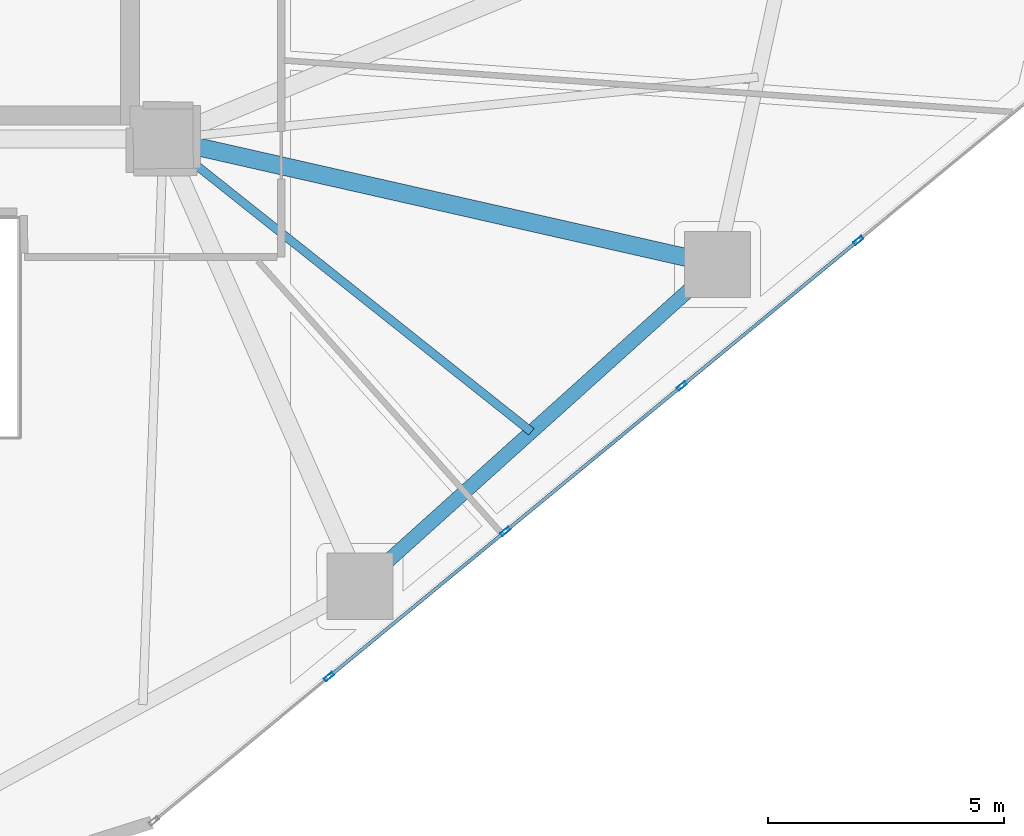
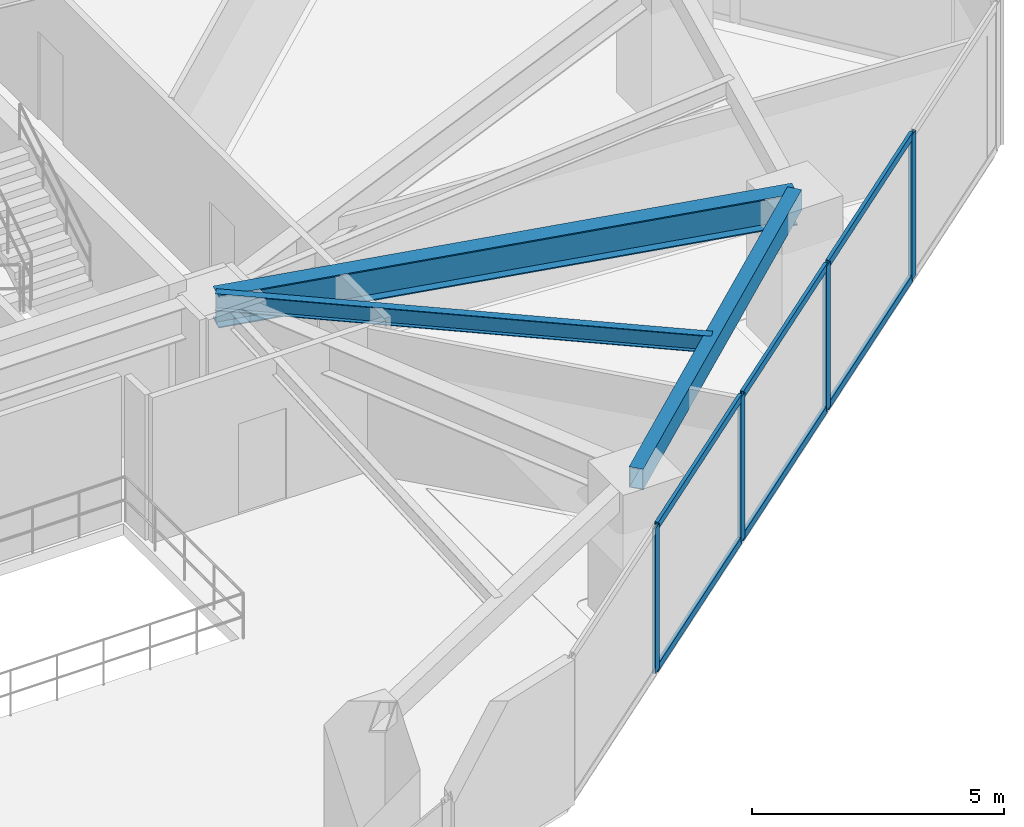
# One storey, part 10 of 23: 10 members, 3 beams, 1 element without a shape of its own.
"""IFC4 building model written with IfcOpenShell, lengths in metres."""

from ifc_helpers import new_model, si_unit, direction, frame, origin, origin_2d, place, context, subcontext, project, spatial, hollow_rectangle, i_section, extrude, source, transform, mapped, material, layer, layer_set, material_profile, profile_set, type_object, type_shapes, element, aggregate, save


model = new_model("IFC4")

# Units and contexts
model_context = context("Model", 3, precision=1e-05, world=origin(), true_north=direction((0.0, 1.0)))
body_context = subcontext(model_context, "Body", "Model", "MODEL_VIEW")
ifc_project = project(units=[si_unit("LENGTHUNIT", "METRE"), si_unit("AREAUNIT", "SQUARE_METRE"), si_unit("VOLUMEUNIT", "CUBIC_METRE"), si_unit("PLANEANGLEUNIT", "RADIAN"), si_unit("MASSUNIT", "GRAM", prefix="KILO")], contexts=[model_context])

# Site, building, storey
site_placement = place(None, origin())
site = spatial("IfcSite", under=ifc_project, at=site_placement, CompositionType="ELEMENT")
building_placement = place(site_placement, origin())
building = spatial("IfcBuilding", under=site, at=building_placement, Name="Talar Marvaseh", CompositionType="ELEMENT")
storey_placement = place(building_placement, frame((0.0, 0.0, 77.199951171875)))
storey = spatial("IfcBuildingStorey", under=building, at=storey_placement, Name="L19", CompositionType="ELEMENT", Elevation=77.199951171875)

# Beams
ifc_material_1 = material(Name="Steel S355", Category="steel")
ifc_material_profile_1 = material_profile(ifc_material_1, hollow_rectangle(XDim=0.300048828125, YDim=0.5, WallThickness=0.02001953125, at=origin_2d()), Name="RHS500x300x20")
ifc_profile_set_1 = profile_set([ifc_material_profile_1], Name="Steel S355")
beam_type_1 = type_object("IfcBeamType", Name="Zone 1 Perimeter Spandrel Beam RHS500x300x20", PredefinedType="SPANDREL", material=ifc_profile_set_1)
beam_1_placement = place(storey_placement, frame((45.0439453125, 22.840087890625, 3.27001953125), z_axis=(-0.743257224494, -0.669005753516, 0.0), x_axis=(0.669005753516, -0.743257224494, 0.0)))
element("IfcBeam", 1, at=beam_1_placement, inside=storey, type_object=beam_type_1, Name="L19 Zone 1 Perimeter Spandrel Beam RHS500x300x20", PredefinedType="SPANDREL", context=body_context, shape_type="SweptSolid", body=[
    extrude(hollow_rectangle(XDim=0.300048828125, YDim=0.5, WallThickness=0.02001953125, at=origin_2d()), origin(), (0.0, 0.0, 1.0), 10.19287109375),
])
ifc_material_profile_2 = material_profile(ifc_material_1, i_section(OverallWidth=0.381103515625, OverallDepth=0.77294921875, WebThickness=0.0166015625, FlangeThickness=0.027099609375, at=origin_2d()), Name="W760x257")
ifc_profile_set_2 = profile_set([ifc_material_profile_2], Name="Steel S355")
beam_type_2 = type_object("IfcBeamType", Name="Zone 1 Radial Floor Girder W760x257", PredefinedType="BEAM", material=ifc_profile_set_2)
beam_2_placement = place(storey_placement, frame((45.0439453125, 22.840087890625, 3.133544921875), z_axis=(-0.975296900374, 0.220898067263, 0.0), x_axis=(-0.220898067263, -0.975296900374, 0.0)))
element("IfcBeam", 2, at=beam_2_placement, inside=storey, type_object=beam_type_2, Name="L19 Zone 1 Radial Floor Girder W760x257", PredefinedType="BEAM", context=body_context, shape_type="SweptSolid", body=[
    extrude(i_section(OverallWidth=0.381103515625, OverallDepth=0.77294921875, WebThickness=0.0166015625, FlangeThickness=0.027099609375, at=origin_2d()), origin(), (0.0, 0.0, 1.0), 12.041259765625),
])
ifc_material_profile_3 = material_profile(ifc_material_1, i_section(OverallWidth=0.179931640625, OverallDepth=0.4130859375, WebThickness=0.009765625, FlangeThickness=0.01611328125, at=origin_2d()), Name="W410x75")
ifc_profile_set_3 = profile_set([ifc_material_profile_3], Name="Steel S355")
beam_type_3 = type_object("IfcBeamType", Name="Zone 1 Secondary Floor Joist W410x75", PredefinedType="JOIST", material=ifc_profile_set_3)
beam_3_placement = place(storey_placement, frame((41.1044921875, 19.294189453125, 3.3134765625), z_axis=(-0.782711925261, 0.622384159546, 0.0), x_axis=(-0.622384159546, -0.782711925261, 0.0)))
element("IfcBeam", 3, at=beam_3_placement, inside=storey, type_object=beam_type_3, Name="L19 Zone 1 Secondary Floor Joist W410x75", PredefinedType="JOIST", context=body_context, shape_type="SweptSolid", body=[
    extrude(i_section(OverallWidth=0.179931640625, OverallDepth=0.4130859375, WebThickness=0.009765625, FlangeThickness=0.01611328125, at=origin_2d()), origin(), (0.0, 0.0, 1.0), 9.970947265625),
])

# Curtain wall, members
ifc_material_2 = material(Name="Architectural Aluminium", Category="aluminium")
ifc_layer = layer(ifc_material_2, 0.219970703125)
ifc_layer_set = layer_set([ifc_layer], Name="Architectural Aluminium")
curtain_wall_type = type_object("IfcCurtainWallType", Name="Unitised Low-E Museum Curtain Wall Z1", PredefinedType="NOTDEFINED", material=ifc_layer_set)
curtain_wall_placement = place(storey_placement, origin())
curtain_wall = element("IfcCurtainWall", 4, at=curtain_wall_placement, inside=storey, type_object=curtain_wall_type, Name="L19 Unitised Low-E Museum Curtain Wall Z1", PredefinedType="NOTDEFINED")
ifc_material_profile_4 = material_profile(ifc_material_2, hollow_rectangle(XDim=0.080078125, YDim=0.219970703125, WallThickness=0.0048828125, at=origin_2d()), Name="RHS220x80x5")
ifc_profile_set_4 = profile_set([ifc_material_profile_4], Name="Architectural Aluminium")
member_type_1 = type_object("IfcMemberType", Name="Unitised Curtain Wall Heavy Mullion RHS220x80x5", PredefinedType="MULLION", material=ifc_profile_set_4)
shared_shape_1 = source(origin(), body_context, "Body", "SweptSolid", [
    extrude(hollow_rectangle(XDim=0.080078125, YDim=0.219970703125, WallThickness=0.0048828125, at=origin_2d()), origin(), (0.0, 0.0, 1.0), 3.52001953125),
])
type_shapes(member_type_1, [shared_shape_1])
member_1_placement = place(storey_placement, frame((48.02978515625, 23.34814453125, 0.0), z_axis=(0.0, 0.0, 1.0), x_axis=(0.635959254001, -0.771722636217, 0.0)))
member_1 = element("IfcMember", 5, at=member_1_placement, type_object=member_type_1, Name="CW-Z1 mullion 2", PredefinedType="MULLION", context=body_context, shape_type="MappedRepresentation", body=[
    mapped(shared_shape_1, transform((0.0, 0.0, 0.0), x_axis=(1.0, 0.0, 0.0), y_axis=(0.0, 1.0, 0.0), z_axis=(0.0, 0.0, 1.0), scale=1.0)),
])
member_2_placement = place(storey_placement, frame((44.29052734375, 20.266845703125, 0.0), z_axis=(0.0, 0.0, 1.0), x_axis=(0.635959254001, -0.771722636217, 0.0)))
member_2 = element("IfcMember", 6, at=member_2_placement, type_object=member_type_1, Name="CW-Z1 mullion 3", PredefinedType="MULLION", context=body_context, shape_type="MappedRepresentation", body=[
    mapped(shared_shape_1, transform((0.0, 0.0, 0.0), x_axis=(1.0, 0.0, 0.0), y_axis=(0.0, 1.0, 0.0), z_axis=(0.0, 0.0, 1.0), scale=1.0)),
])
member_3_placement = place(storey_placement, frame((40.55126953125, 17.185302734375, 0.0), z_axis=(0.0, 0.0, 1.0), x_axis=(0.635959254001, -0.771722636217, 0.0)))
member_3 = element("IfcMember", 7, at=member_3_placement, type_object=member_type_1, Name="CW-Z1 mullion 4", PredefinedType="MULLION", context=body_context, shape_type="MappedRepresentation", body=[
    mapped(shared_shape_1, transform((0.0, 0.0, 0.0), x_axis=(1.0, 0.0, 0.0), y_axis=(0.0, 1.0, 0.0), z_axis=(0.0, 0.0, 1.0), scale=1.0)),
])
member_4_placement = place(storey_placement, frame((36.81201171875, 14.10400390625, 0.0), z_axis=(0.0, 0.0, 1.0), x_axis=(0.635959254001, -0.771722636217, 0.0)))
member_4 = element("IfcMember", 8, at=member_4_placement, type_object=member_type_1, Name="CW-Z1 mullion 5", PredefinedType="MULLION", context=body_context, shape_type="MappedRepresentation", body=[
    mapped(shared_shape_1, transform((0.0, 0.0, 0.0), x_axis=(1.0, 0.0, 0.0), y_axis=(0.0, 1.0, 0.0), z_axis=(0.0, 0.0, 1.0), scale=1.0)),
])
ifc_material_profile_5 = material_profile(ifc_material_2, hollow_rectangle(XDim=0.074951171875, YDim=0.179931640625, WallThickness=0.0048828125, at=origin_2d()), Name="RHS180x75x5")
ifc_profile_set_5 = profile_set([ifc_material_profile_5], Name="Architectural Aluminium")
member_type_2 = type_object("IfcMemberType", Name="Unitised Curtain Wall Transom RHS180x75x5", PredefinedType="USERDEFINED", material=ifc_profile_set_5)
shared_shape_2 = source(origin(), body_context, "Body", "SweptSolid", [
    extrude(hollow_rectangle(XDim=0.074951171875, YDim=0.179931640625, WallThickness=0.0048828125, at=origin_2d()), origin(), (0.0, 0.0, 1.0), 4.765380859375),
])
type_shapes(member_type_2, [shared_shape_2])
member_5_placement = place(storey_placement, frame((47.998779296875, 23.32275390625, 0.03759765625), z_axis=(-0.771724628929, -0.635956835882, 0.0), x_axis=(0.635956835882, -0.771724628929, 0.0)))
member_5 = element("IfcMember", 9, at=member_5_placement, type_object=member_type_2, Name="CW-Z1 transom 2.1", ObjectType="TRANSOM", PredefinedType="USERDEFINED", context=body_context, shape_type="MappedRepresentation", body=[
    mapped(shared_shape_2, transform((0.0, 0.0, 0.0), x_axis=(1.0, 0.0, 0.0), y_axis=(0.0, 1.0, 0.0), z_axis=(0.0, 0.0, 1.0), scale=1.0)),
])
member_6_placement = place(storey_placement, frame((47.998779296875, 23.32275390625, 3.482666015625), z_axis=(-0.771724628929, -0.635956835882, 0.0), x_axis=(0.635956835882, -0.771724628929, 0.0)))
member_6 = element("IfcMember", 10, at=member_6_placement, type_object=member_type_2, Name="CW-Z1 transom 2.2", ObjectType="TRANSOM", PredefinedType="USERDEFINED", context=body_context, shape_type="MappedRepresentation", body=[
    mapped(shared_shape_2, transform((0.0, 0.0, 0.0), x_axis=(1.0, 0.0, 0.0), y_axis=(0.0, 1.0, 0.0), z_axis=(0.0, 0.0, 1.0), scale=1.0)),
])
member_7_placement = place(storey_placement, frame((44.259521484375, 20.241455078125, 0.03759765625), z_axis=(-0.771724628929, -0.635956835882, 0.0), x_axis=(0.635956835882, -0.771724628929, 0.0)))
member_7 = element("IfcMember", 11, at=member_7_placement, type_object=member_type_2, Name="CW-Z1 transom 3.1", ObjectType="TRANSOM", PredefinedType="USERDEFINED", context=body_context, shape_type="MappedRepresentation", body=[
    mapped(shared_shape_2, transform((0.0, 0.0, 0.0), x_axis=(1.0, 0.0, 0.0), y_axis=(0.0, 1.0, 0.0), z_axis=(0.0, 0.0, 1.0), scale=1.0)),
])
member_8_placement = place(storey_placement, frame((44.259521484375, 20.241455078125, 3.482666015625), z_axis=(-0.771724628929, -0.635956835882, 0.0), x_axis=(0.635956835882, -0.771724628929, 0.0)))
member_8 = element("IfcMember", 12, at=member_8_placement, type_object=member_type_2, Name="CW-Z1 transom 3.2", ObjectType="TRANSOM", PredefinedType="USERDEFINED", context=body_context, shape_type="MappedRepresentation", body=[
    mapped(shared_shape_2, transform((0.0, 0.0, 0.0), x_axis=(1.0, 0.0, 0.0), y_axis=(0.0, 1.0, 0.0), z_axis=(0.0, 0.0, 1.0), scale=1.0)),
])
member_9_placement = place(storey_placement, frame((40.520263671875, 17.159912109375, 0.03759765625), z_axis=(-0.771724628929, -0.635956835882, 0.0), x_axis=(0.635956835882, -0.771724628929, 0.0)))
member_9 = element("IfcMember", 13, at=member_9_placement, type_object=member_type_2, Name="CW-Z1 transom 4.1", ObjectType="TRANSOM", PredefinedType="USERDEFINED", context=body_context, shape_type="MappedRepresentation", body=[
    mapped(shared_shape_2, transform((0.0, 0.0, 0.0), x_axis=(1.0, 0.0, 0.0), y_axis=(0.0, 1.0, 0.0), z_axis=(0.0, 0.0, 1.0), scale=1.0)),
])
member_10_placement = place(storey_placement, frame((40.520263671875, 17.159912109375, 3.482666015625), z_axis=(-0.771724628929, -0.635956835882, 0.0), x_axis=(0.635956835882, -0.771724628929, 0.0)))
member_10 = element("IfcMember", 14, at=member_10_placement, type_object=member_type_2, Name="CW-Z1 transom 4.2", ObjectType="TRANSOM", PredefinedType="USERDEFINED", context=body_context, shape_type="MappedRepresentation", body=[
    mapped(shared_shape_2, transform((0.0, 0.0, 0.0), x_axis=(1.0, 0.0, 0.0), y_axis=(0.0, 1.0, 0.0), z_axis=(0.0, 0.0, 1.0), scale=1.0)),
])
aggregate(curtain_wall, [member_1, member_2, member_3, member_4, member_5, member_6, member_7, member_8, member_9, member_10])

save(model, "model.ifc")
